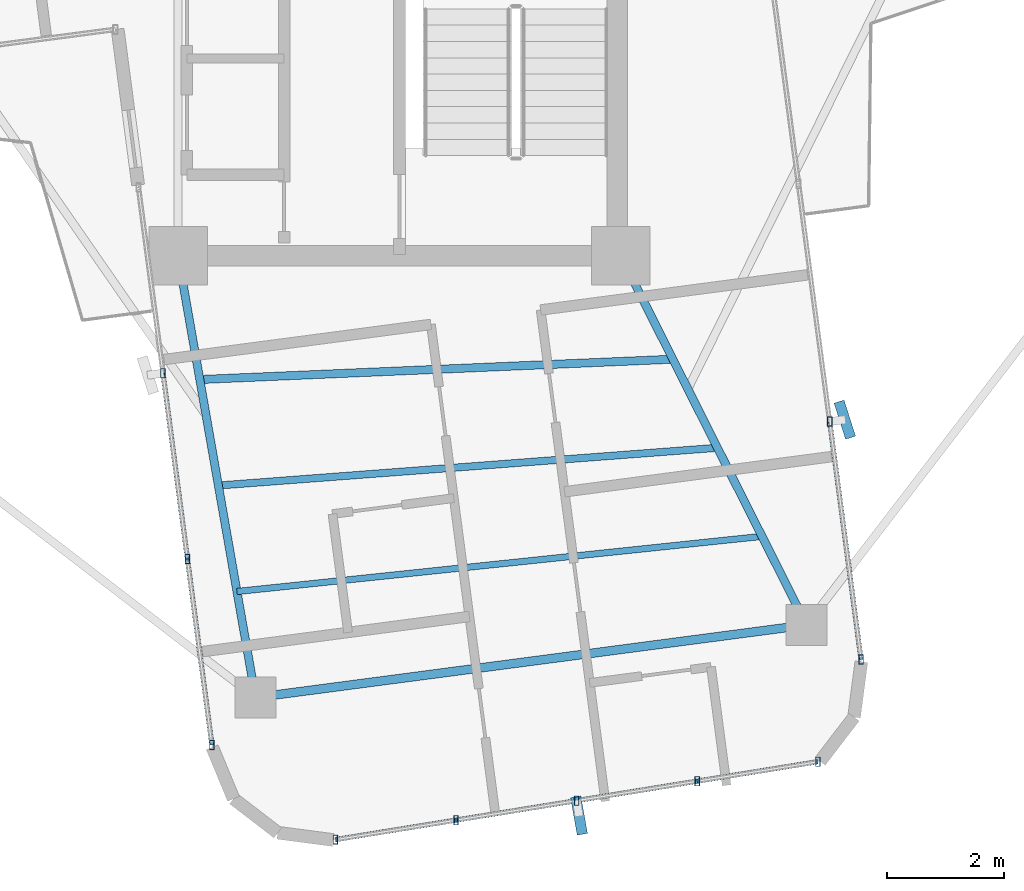
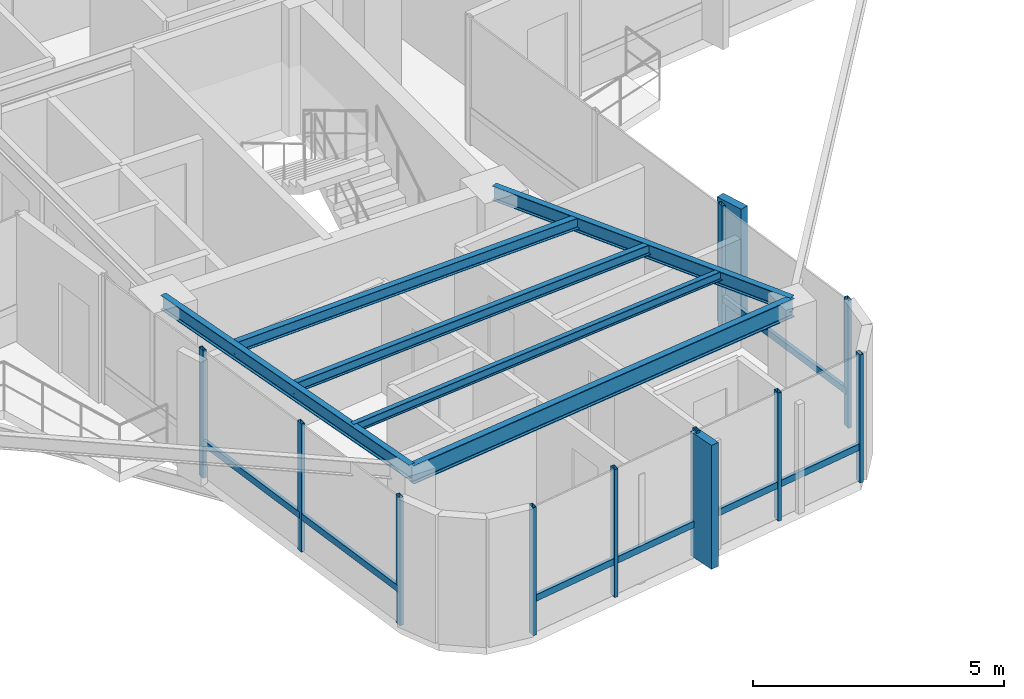
# One storey, part 4 of 22: 19 members, 6 beams, 3 elements without a shape of their own.
"""IFC4 building model written with IfcOpenShell, lengths in metres."""

from ifc_helpers import new_model, si_unit, direction, frame, origin, origin_2d, place, context, subcontext, project, spatial, rectangle, hollow_rectangle, i_section, extrude, source, transform, mapped, material, material_profile, profile_set, type_object, element, aggregate, save


model = new_model("IFC4")

# Units and contexts
model_context = context("Model", 3, precision=1e-05, world=origin(), true_north=direction((0.0, 1.0)))
body_context = subcontext(model_context, "Body", "Model", "MODEL_VIEW")
ifc_project = project(units=[si_unit("LENGTHUNIT", "METRE"), si_unit("AREAUNIT", "SQUARE_METRE"), si_unit("VOLUMEUNIT", "CUBIC_METRE"), si_unit("PLANEANGLEUNIT", "RADIAN"), si_unit("MASSUNIT", "GRAM", prefix="KILO")], contexts=[model_context])

# Site, building, storey
site_placement = place(None, origin())
site = spatial("IfcSite", under=ifc_project, at=site_placement, CompositionType="ELEMENT")
building_placement = place(site_placement, origin())
building = spatial("IfcBuilding", under=site, at=building_placement, Name="Sahyath Konkavel Grand Hotel", CompositionType="ELEMENT")
storey_placement = place(building_placement, frame((0.0, 0.0, 241.14990234375)))
storey = spatial("IfcBuildingStorey", under=building, at=storey_placement, Name="L67", CompositionType="ELEMENT", Elevation=241.14990234375)

# Beams
ifc_material_1 = material(Name="Steel E350", Category="steel")
ifc_material_profile_1 = material_profile(ifc_material_1, i_section(OverallWidth=0.139892578125, OverallDepth=0.35009765625, WebThickness=0.008056640625, FlangeThickness=0.01416015625, FilletRadius=0.013916015625, at=origin_2d()), Name="ISMB 350")
ifc_profile_set_1 = profile_set([ifc_material_profile_1], Name="Steel E350")
beam_type_1 = type_object("IfcBeamType", Name="BM-ISMB350", PredefinedType="BEAM", material=ifc_profile_set_1)
shared_shape_1 = source(origin(), body_context, "Body", "SweptSolid", [
    extrude(i_section(OverallWidth=0.139892578125, OverallDepth=0.35009765625, WebThickness=0.008056640625, FlangeThickness=0.01416015625, FilletRadius=0.013916015625, at=origin_2d()), origin(), (0.0, 0.0, 1.0), 7.697265625),
])
beam_1_placement = place(storey_placement, frame((-3.800048828125, -10.199951171875, 2.93505859375), z_axis=(0.172638066176, -0.984985328879, 0.0), x_axis=(0.984985328879, 0.172638066176, 0.0)))
element("IfcBeam", 1, at=beam_1_placement, inside=storey, type_object=beam_type_1, Name="L67 Cruciform Radial Girder SA", PredefinedType="BEAM", context=body_context, shape_type="MappedRepresentation", body=[
    mapped(shared_shape_1, transform((0.0, 0.0, 0.0), scale=1.0)),
])
shared_shape_2 = source(origin(), body_context, "Body", "SweptSolid", [
    extrude(i_section(OverallWidth=0.139892578125, OverallDepth=0.35009765625, WebThickness=0.008056640625, FlangeThickness=0.01416015625, FilletRadius=0.013916015625, at=origin_2d()), origin(), (0.0, 0.0, 1.0), 7.093505859375),
])
beam_2_placement = place(storey_placement, frame((3.800048828125, -10.199951171875, 2.93505859375), z_axis=(0.449593689822, -0.893233180123, 0.0), x_axis=(0.893233180123, 0.449593689822, 0.0)))
element("IfcBeam", 2, at=beam_2_placement, inside=storey, type_object=beam_type_1, Name="L67 Cruciform Radial Girder SB", PredefinedType="BEAM", context=body_context, shape_type="MappedRepresentation", body=[
    mapped(shared_shape_2, transform((0.0, 0.0, 0.0), scale=1.0)),
])
ifc_material_profile_2 = material_profile(ifc_material_1, i_section(OverallWidth=0.14990234375, OverallDepth=0.449951171875, WebThickness=0.009521484375, FlangeThickness=0.017333984375, FilletRadius=0.014892578125, at=origin_2d()), Name="ISMB 450")
ifc_profile_set_2 = profile_set([ifc_material_profile_2], Name="Steel E350")
beam_type_2 = type_object("IfcBeamType", Name="BM-ISMB450", PredefinedType="BEAM", material=ifc_profile_set_2)
shared_shape_3 = source(origin(), body_context, "Body", "SweptSolid", [
    extrude(i_section(OverallWidth=0.14990234375, OverallDepth=0.449951171875, WebThickness=0.009521484375, FlangeThickness=0.017333984375, FilletRadius=0.014892578125, at=origin_2d()), origin(), (0.0, 0.0, 1.0), 9.5419921875),
])
beam_3_placement = place(storey_placement, frame((-2.47119140625, -17.78173828125, 2.885009765625), z_axis=(0.991443319299, 0.130537904905, 0.0), x_axis=(-0.130537904905, 0.991443319299, 0.0)))
element("IfcBeam", 3, at=beam_3_placement, inside=storey, type_object=beam_type_2, Name="L67 Wing Tip Edge Beam S", PredefinedType="BEAM", context=body_context, shape_type="MappedRepresentation", body=[
    mapped(shared_shape_3, transform((0.0, 0.0, 0.0), scale=1.0)),
])
ifc_material_profile_3 = material_profile(ifc_material_1, i_section(OverallWidth=0.139892578125, OverallDepth=0.27490234375, WebThickness=0.00634765625, FlangeThickness=0.0087890625, FilletRadius=0.012939453125, at=origin_2d()), Name="ISLB 275")
ifc_profile_set_3 = profile_set([ifc_material_profile_3], Name="Steel E350")
beam_type_3 = type_object("IfcBeamType", Name="BM-ISLB275", PredefinedType="BEAM", material=ifc_profile_set_3)
shared_shape_4 = source(origin(), body_context, "Body", "SweptSolid", [
    extrude(i_section(OverallWidth=0.139892578125, OverallDepth=0.27490234375, WebThickness=0.00634765625, FlangeThickness=0.0087890625, FilletRadius=0.012939453125, at=origin_2d()), origin(), (0.0, 0.0, 1.0), 8.128662109375),
])
beam_4_placement = place(storey_placement, frame((-3.427978515625, -12.322998046875, 2.97265625), z_axis=(0.999078522138, 0.042919769364, 0.0), x_axis=(-0.042919769364, 0.999078522138, 0.0)))
element("IfcBeam", 4, at=beam_4_placement, inside=storey, type_object=beam_type_3, Name="L67 Secondary Floor Beam S-1", PredefinedType="BEAM", context=body_context, shape_type="MappedRepresentation", body=[
    mapped(shared_shape_4, transform((0.0, 0.0, 0.0), scale=1.0)),
])
ifc_material_profile_4 = material_profile(ifc_material_1, i_section(OverallWidth=0.125, OverallDepth=0.25, WebThickness=0.0068359375, FlangeThickness=0.012451171875, FilletRadius=0.012939453125, at=origin_2d()), Name="ISMB 250")
ifc_profile_set_4 = profile_set([ifc_material_profile_4], Name="Steel E350")
beam_type_4 = type_object("IfcBeamType", Name="BM-ISMB250", PredefinedType="BEAM", material=ifc_profile_set_4)
shared_shape_5 = source(origin(), body_context, "Body", "SweptSolid", [
    extrude(i_section(OverallWidth=0.125, OverallDepth=0.25, WebThickness=0.0068359375, FlangeThickness=0.012451171875, FilletRadius=0.012939453125, at=origin_2d()), origin(), (0.0, 0.0, 1.0), 8.591796875),
])
beam_5_placement = place(storey_placement, frame((-3.10888671875, -14.142578125, 2.985107421875), z_axis=(0.997154415757, 0.075386146843, 0.0), x_axis=(-0.075386146843, 0.997154415757, 0.0)))
element("IfcBeam", 5, at=beam_5_placement, inside=storey, type_object=beam_type_4, Name="L67 Secondary Floor Beam S-2", PredefinedType="BEAM", context=body_context, shape_type="MappedRepresentation", body=[
    mapped(shared_shape_5, transform((0.0, 0.0, 0.0), scale=1.0)),
])
ifc_material_profile_5 = material_profile(ifc_material_1, i_section(OverallWidth=0.110107421875, OverallDepth=0.22509765625, WebThickness=0.006591796875, FlangeThickness=0.01171875, FilletRadius=0.011962890625, at=origin_2d()), Name="ISMB 225")
ifc_profile_set_5 = profile_set([ifc_material_profile_5], Name="Steel E350")
beam_type_5 = type_object("IfcBeamType", Name="BM-ISMB225", PredefinedType="BEAM", material=ifc_profile_set_5)
shared_shape_6 = source(origin(), body_context, "Body", "SweptSolid", [
    extrude(i_section(OverallWidth=0.110107421875, OverallDepth=0.22509765625, WebThickness=0.006591796875, FlangeThickness=0.01171875, FilletRadius=0.011962890625, at=origin_2d()), origin(), (0.0, 0.0, 1.0), 9.0634765625),
])
beam_6_placement = place(storey_placement, frame((-2.7900390625, -15.962158203125, 2.99755859375), z_axis=(0.994529043333, 0.104460432546, 0.0), x_axis=(-0.104460432546, 0.994529043333, 0.0)))
element("IfcBeam", 6, at=beam_6_placement, inside=storey, type_object=beam_type_5, Name="L67 Secondary Floor Beam S-3", PredefinedType="BEAM", context=body_context, shape_type="MappedRepresentation", body=[
    mapped(shared_shape_6, transform((0.0, 0.0, 0.0), scale=1.0)),
])

# Curtain wall, member
ifc_material_2 = material(Name="Anodised Bronze Aluminium & Low-E Glazing", Category="aluminium")
curtain_wall_type = type_object("IfcCurtainWallType", Name="CW-ZONE4", PredefinedType="NOTDEFINED", material=ifc_material_2)
curtain_wall_1_placement = place(storey_placement, origin())
curtain_wall_1 = element("IfcCurtainWall", 7, at=curtain_wall_1_placement, inside=storey, type_object=curtain_wall_type, Name="L67 Unitised Curtain Wall F28", PredefinedType="NOTDEFINED")
ifc_material_3 = material(Name="Warm Buff Sandstone Cladding on Concrete C50/60", Category="masonry")
ifc_material_profile_6 = material_profile(ifc_material_3, rectangle(XDim=0.179931640625, YDim=0.64990234375, at=origin_2d()), Name="FIN 180x650")
ifc_profile_set_6 = profile_set([ifc_material_profile_6], Name="Warm Buff Sandstone Cladding on Concrete C50/60")
member_type_1 = type_object("IfcMemberType", Name="FIN-SANDSTONE-650", PredefinedType="MULLION", material=ifc_profile_set_6)
shared_shape_7 = source(origin(), body_context, "Body", "SweptSolid", [
    extrude(rectangle(XDim=0.179931640625, YDim=0.64990234375, at=origin_2d()), origin(), (0.0, 0.0, 1.0), 3.010009765625),
])
member_1_placement = place(storey_placement, frame((3.082275390625, -19.81005859375, 0.050048828125), z_axis=(0.0, 0.0, 1.0), x_axis=(0.984441905461, 0.175710371841, 0.0)))
member_1 = element("IfcMember", 8, at=member_1_placement, type_object=member_type_1, Name="L67 Sandstone Vertical Solar Fin FIN F28-2", PredefinedType="MULLION", context=body_context, shape_type="MappedRepresentation", body=[
    mapped(shared_shape_7, transform((0.0, 0.0, 0.0), scale=1.0)),
])

curtain_wall_2_placement = place(storey_placement, origin())
curtain_wall_2 = element("IfcCurtainWall", 9, at=curtain_wall_2_placement, inside=storey, type_object=curtain_wall_type, Name="L67 Unitised Curtain Wall F31", PredefinedType="NOTDEFINED")
member_2_placement = place(storey_placement, frame((7.644775390625, -13.01171875, 0.050048828125), z_axis=(0.0, 0.0, 1.0), x_axis=(0.952767550771, 0.303700500819, 0.0)))
member_2 = element("IfcMember", 10, at=member_2_placement, type_object=member_type_1, Name="L67 Sandstone Vertical Solar Fin FIN F31-1", PredefinedType="MULLION", context=body_context, shape_type="MappedRepresentation", body=[
    mapped(shared_shape_7, transform((0.0, 0.0, 0.0), scale=1.0)),
])

# Curtain wall, members
curtain_wall_3_placement = place(storey_placement, origin())
curtain_wall_3 = element("IfcCurtainWall", 11, at=curtain_wall_3_placement, inside=storey, type_object=curtain_wall_type, Name="L67 Unitised Curtain Wall F24", PredefinedType="NOTDEFINED")
ifc_material_4 = material(Name="Anodised Bronze Aluminium", Category="aluminium")
ifc_material_profile_7 = material_profile(ifc_material_4, hollow_rectangle(XDim=0.080078125, YDim=0.159912109375, WallThickness=0.006103515625, at=origin_2d()), Name="RHS 160x80x6")
ifc_profile_set_7 = profile_set([ifc_material_profile_7], Name="Anodised Bronze Aluminium")
member_type_2 = type_object("IfcMemberType", Name="CW-MUL-160", PredefinedType="MULLION", material=ifc_profile_set_7)
shared_shape_8 = source(origin(), body_context, "Body", "SweptSolid", [
    extrude(hollow_rectangle(XDim=0.080078125, YDim=0.159912109375, WallThickness=0.006103515625, at=origin_2d()), origin(), (0.0, 0.0, 1.0), 3.110107421875),
])
member_3_placement = place(storey_placement, frame((-4.0615234375, -12.21435546875, 0.0), z_axis=(0.0, 0.0, 1.0), x_axis=(1.0, 0.0, 0.0)))
member_3 = element("IfcMember", 12, at=member_3_placement, type_object=member_type_2, Name="L67 Curtain Wall Mullion F24-1", PredefinedType="MULLION", context=body_context, shape_type="MappedRepresentation", body=[
    mapped(shared_shape_8, transform((0.0, 0.0, 0.0), scale=1.0)),
])
member_4_placement = place(storey_placement, frame((-3.641357421875, -15.405517578125, 0.0), z_axis=(0.0, 0.0, 1.0), x_axis=(1.0, 0.0, 0.0)))
member_4 = element("IfcMember", 13, at=member_4_placement, type_object=member_type_2, Name="L67 Curtain Wall Mullion F24-2", PredefinedType="MULLION", context=body_context, shape_type="MappedRepresentation", body=[
    mapped(shared_shape_8, transform((0.0, 0.0, 0.0), scale=1.0)),
])
member_5_placement = place(storey_placement, frame((-3.22119140625, -18.596435546875, 0.0), z_axis=(0.0, 0.0, 1.0), x_axis=(1.0, 0.0, 0.0)))
member_5 = element("IfcMember", 14, at=member_5_placement, type_object=member_type_2, Name="L67 Curtain Wall Mullion F24-3", PredefinedType="MULLION", context=body_context, shape_type="MappedRepresentation", body=[
    mapped(shared_shape_8, transform((0.0, 0.0, 0.0), scale=1.0)),
])

# Member
member_6_placement = place(storey_placement, frame((-1.100830078125, -20.222412109375, 0.0), z_axis=(0.0, 0.0, 1.0), x_axis=(1.0, 0.0, 0.0)))
member_6 = element("IfcMember", 15, at=member_6_placement, type_object=member_type_2, Name="L67 Curtain Wall Mullion F28-0", PredefinedType="MULLION", context=body_context, shape_type="MappedRepresentation", body=[
    mapped(shared_shape_8, transform((0.0, 0.0, 0.0), scale=1.0)),
])

member_7_placement = place(storey_placement, frame((0.969970703125, -19.887939453125, 0.0), z_axis=(0.0, 0.0, 1.0), x_axis=(1.0, 0.0, 0.0)))
member_7 = element("IfcMember", 16, at=member_7_placement, type_object=member_type_2, Name="L67 Curtain Wall Mullion F28-1", PredefinedType="MULLION", context=body_context, shape_type="MappedRepresentation", body=[
    mapped(shared_shape_8, transform((0.0, 0.0, 0.0), scale=1.0)),
])

member_8_placement = place(storey_placement, frame((3.040771484375, -19.553466796875, 0.0), z_axis=(0.0, 0.0, 1.0), x_axis=(1.0, 0.0, 0.0)))
member_8 = element("IfcMember", 17, at=member_8_placement, type_object=member_type_2, Name="L67 Curtain Wall Mullion F28-2", PredefinedType="MULLION", context=body_context, shape_type="MappedRepresentation", body=[
    mapped(shared_shape_8, transform((0.0, 0.0, 0.0), scale=1.0)),
])

member_9_placement = place(storey_placement, frame((5.111572265625, -19.218994140625, 0.0), z_axis=(0.0, 0.0, 1.0), x_axis=(1.0, 0.0, 0.0)))
member_9 = element("IfcMember", 18, at=member_9_placement, type_object=member_type_2, Name="L67 Curtain Wall Mullion F28-3", PredefinedType="MULLION", context=body_context, shape_type="MappedRepresentation", body=[
    mapped(shared_shape_8, transform((0.0, 0.0, 0.0), scale=1.0)),
])

member_10_placement = place(storey_placement, frame((7.182373046875, -18.884521484375, 0.0), z_axis=(0.0, 0.0, 1.0), x_axis=(1.0, 0.0, 0.0)))
member_10 = element("IfcMember", 19, at=member_10_placement, type_object=member_type_2, Name="L67 Curtain Wall Mullion F28-4", PredefinedType="MULLION", context=body_context, shape_type="MappedRepresentation", body=[
    mapped(shared_shape_8, transform((0.0, 0.0, 0.0), scale=1.0)),
])

member_11_placement = place(storey_placement, frame((7.924560546875, -17.129150390625, 0.0), z_axis=(0.0, 0.0, 1.0), x_axis=(1.0, 0.0, 0.0)))
member_11 = element("IfcMember", 20, at=member_11_placement, type_object=member_type_2, Name="L67 Curtain Wall Mullion F31-0", PredefinedType="MULLION", context=body_context, shape_type="MappedRepresentation", body=[
    mapped(shared_shape_8, transform((0.0, 0.0, 0.0), scale=1.0)),
])

member_12_placement = place(storey_placement, frame((7.386962890625, -13.045654296875, 0.0), z_axis=(0.0, 0.0, 1.0), x_axis=(1.0, 0.0, 0.0)))
member_12 = element("IfcMember", 21, at=member_12_placement, type_object=member_type_2, Name="L67 Curtain Wall Mullion F31-1", PredefinedType="MULLION", context=body_context, shape_type="MappedRepresentation", body=[
    mapped(shared_shape_8, transform((0.0, 0.0, 0.0), scale=1.0)),
])

ifc_material_profile_8 = material_profile(ifc_material_4, hollow_rectangle(XDim=0.080078125, YDim=0.159912109375, WallThickness=0.006103515625, at=origin_2d()), Name="RHS 160x80x6")
ifc_profile_set_8 = profile_set([ifc_material_profile_8], Name="Anodised Bronze Aluminium")
member_type_3 = type_object("IfcMemberType", Name="CW-TRN-160", PredefinedType="USERDEFINED", material=ifc_profile_set_8)
shared_shape_9 = source(origin(), body_context, "Body", "SweptSolid", [
    extrude(hollow_rectangle(XDim=0.080078125, YDim=0.159912109375, WallThickness=0.006103515625, at=origin_2d()), origin(), (0.0, 0.0, 1.0), 3.21875),
])
member_13_placement = place(storey_placement, frame((-4.0615234375, -12.21435546875, 0.85009765625), z_axis=(0.130538882337, -0.991443190606, 0.0), x_axis=(0.991443190606, 0.130538882337, 0.0)))
member_13 = element("IfcMember", 22, at=member_13_placement, type_object=member_type_3, Name="L67 Curtain Wall Transom F24-1-spandrel", ObjectType="TRANSOM", PredefinedType="USERDEFINED", context=body_context, shape_type="MappedRepresentation", body=[
    mapped(shared_shape_9, transform((0.0, 0.0, 0.0), scale=1.0)),
])

shared_shape_10 = source(origin(), body_context, "Body", "SweptSolid", [
    extrude(hollow_rectangle(XDim=0.080078125, YDim=0.159912109375, WallThickness=0.006103515625, at=origin_2d()), origin(), (0.0, 0.0, 1.0), 3.218505859375),
])
member_14_placement = place(storey_placement, frame((-3.641357421875, -15.405517578125, 0.85009765625), z_axis=(0.130548699797, -0.991441897935, 0.0), x_axis=(0.991441897935, 0.130548699797, 0.0)))
member_14 = element("IfcMember", 23, at=member_14_placement, type_object=member_type_3, Name="L67 Curtain Wall Transom F24-2-spandrel", ObjectType="TRANSOM", PredefinedType="USERDEFINED", context=body_context, shape_type="MappedRepresentation", body=[
    mapped(shared_shape_10, transform((0.0, 0.0, 0.0), scale=1.0)),
])

aggregate(curtain_wall_3, [member_3, member_4, member_5, member_13, member_14])

shared_shape_11 = source(origin(), body_context, "Body", "SweptSolid", [
    extrude(hollow_rectangle(XDim=0.080078125, YDim=0.159912109375, WallThickness=0.006103515625, at=origin_2d()), origin(), (0.0, 0.0, 1.0), 2.09765625),
])
member_15_placement = place(storey_placement, frame((-1.100830078125, -20.222412109375, 0.85009765625), z_axis=(0.987205684033, 0.159451990937, 0.0), x_axis=(-0.159451990937, 0.987205684033, 0.0)))
member_15 = element("IfcMember", 24, at=member_15_placement, type_object=member_type_3, Name="L67 Curtain Wall Transom F28-0-spandrel", ObjectType="TRANSOM", PredefinedType="USERDEFINED", context=body_context, shape_type="MappedRepresentation", body=[
    mapped(shared_shape_11, transform((0.0, 0.0, 0.0), scale=1.0)),
])

member_16_placement = place(storey_placement, frame((0.969970703125, -19.887939453125, 0.85009765625), z_axis=(0.987205684033, 0.159451990937, 0.0), x_axis=(-0.159451990937, 0.987205684033, 0.0)))
member_16 = element("IfcMember", 25, at=member_16_placement, type_object=member_type_3, Name="L67 Curtain Wall Transom F28-1-spandrel", ObjectType="TRANSOM", PredefinedType="USERDEFINED", context=body_context, shape_type="MappedRepresentation", body=[
    mapped(shared_shape_11, transform((0.0, 0.0, 0.0), scale=1.0)),
])

member_17_placement = place(storey_placement, frame((3.040771484375, -19.553466796875, 0.85009765625), z_axis=(0.987205684033, 0.159451990937, 0.0), x_axis=(-0.159451990937, 0.987205684033, 0.0)))
member_17 = element("IfcMember", 26, at=member_17_placement, type_object=member_type_3, Name="L67 Curtain Wall Transom F28-2-spandrel", ObjectType="TRANSOM", PredefinedType="USERDEFINED", context=body_context, shape_type="MappedRepresentation", body=[
    mapped(shared_shape_11, transform((0.0, 0.0, 0.0), scale=1.0)),
])

member_18_placement = place(storey_placement, frame((5.111572265625, -19.218994140625, 0.85009765625), z_axis=(0.987205684033, 0.159451990937, 0.0), x_axis=(-0.159451990937, 0.987205684033, 0.0)))
member_18 = element("IfcMember", 27, at=member_18_placement, type_object=member_type_3, Name="L67 Curtain Wall Transom F28-3-spandrel", ObjectType="TRANSOM", PredefinedType="USERDEFINED", context=body_context, shape_type="MappedRepresentation", body=[
    mapped(shared_shape_11, transform((0.0, 0.0, 0.0), scale=1.0)),
])

aggregate(curtain_wall_1, [member_6, member_7, member_8, member_1, member_9, member_10, member_15, member_16, member_17, member_18])

shared_shape_12 = source(origin(), body_context, "Body", "SweptSolid", [
    extrude(hollow_rectangle(XDim=0.080078125, YDim=0.159912109375, WallThickness=0.006103515625, at=origin_2d()), origin(), (0.0, 0.0, 1.0), 4.11865234375),
])
member_19_placement = place(storey_placement, frame((7.924560546875, -17.129150390625, 0.85009765625), z_axis=(-0.130525045861, 0.991445012294, 0.0), x_axis=(-0.991445012294, -0.130525045861, 0.0)))
member_19 = element("IfcMember", 28, at=member_19_placement, type_object=member_type_3, Name="L67 Curtain Wall Transom F31-0-spandrel", ObjectType="TRANSOM", PredefinedType="USERDEFINED", context=body_context, shape_type="MappedRepresentation", body=[
    mapped(shared_shape_12, transform((0.0, 0.0, 0.0), scale=1.0)),
])

aggregate(curtain_wall_2, [member_11, member_12, member_2, member_19])

save(model, "model.ifc")
